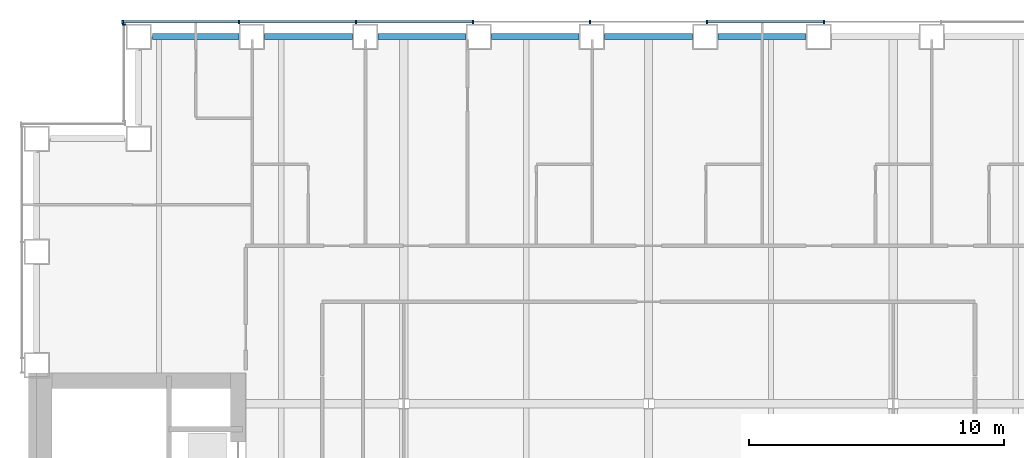
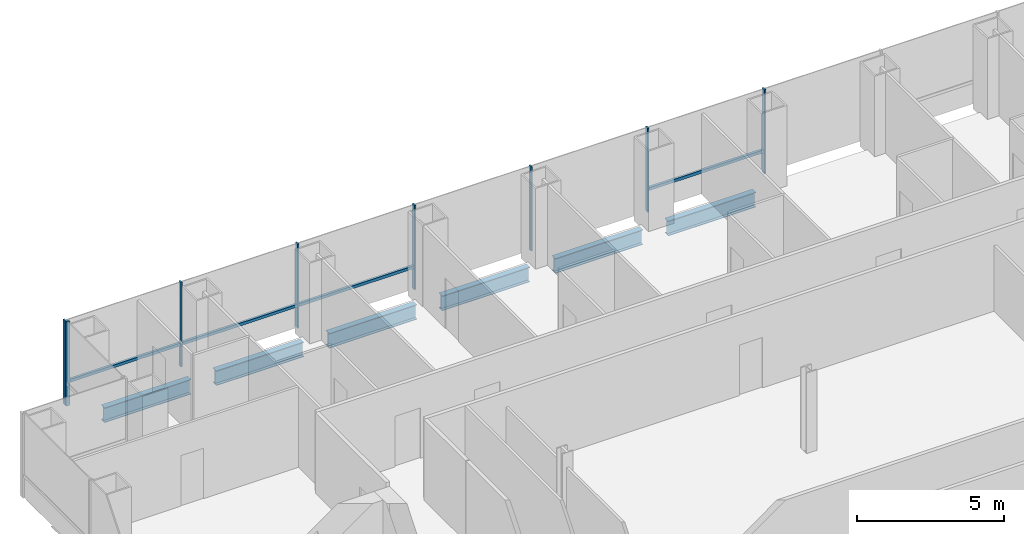
# One storey, part 9 of 21: 12 members, 6 beams, 2 elements without a shape of their own.
"""IFC4 building model written with IfcOpenShell, lengths in metres."""

from ifc_helpers import new_model, si_unit, direction, frame, origin, origin_2d, place, context, subcontext, project, spatial, rectangle, i_section, extrude, material, material_profile, profile_set, type_object, element, aggregate, save


model = new_model("IFC4")

# Units and contexts
model_context = context("Model", 3, precision=1e-05, world=origin(), true_north=direction((0.0, 1.0)))
body_context = subcontext(model_context, "Body", "Model", "MODEL_VIEW")
ifc_project = project(units=[si_unit("LENGTHUNIT", "METRE"), si_unit("AREAUNIT", "SQUARE_METRE"), si_unit("VOLUMEUNIT", "CUBIC_METRE"), si_unit("PLANEANGLEUNIT", "RADIAN"), si_unit("MASSUNIT", "GRAM", prefix="KILO")], contexts=[model_context])

# Site, building, storey
site_placement = place(None, origin())
site = spatial("IfcSite", under=ifc_project, at=site_placement, CompositionType="ELEMENT")
building_placement = place(site_placement, origin())
building = spatial("IfcBuilding", under=site, at=building_placement, Name="Cobrizo Arcos Hotel Tower", CompositionType="ELEMENT")
storey_placement = place(building_placement, frame((0.0, 0.0, 42.5)))
storey = spatial("IfcBuildingStorey", under=building, at=storey_placement, Name="L08", CompositionType="ELEMENT", Elevation=42.5)

# Curtain wall, members
ifc_material_1 = material(Name="Aluminium 6063-T6 anodised bronze", Category="aluminium")
curtain_wall_type = type_object("IfcCurtainWallType", Name="CW-A guest facade", PredefinedType="NOTDEFINED", material=ifc_material_1)
curtain_wall_1_placement = place(storey_placement, origin())
curtain_wall_1 = element("IfcCurtainWall", 1, at=curtain_wall_1_placement, inside=storey, type_object=curtain_wall_type, Name="CW-A L08 N face", PredefinedType="NOTDEFINED")
ifc_material_profile_1 = material_profile(ifc_material_1, rectangle(XDim=0.14990234375, YDim=0.06005859375, at=origin_2d()), Name="CW-A mullion 150x60")
ifc_profile_set_1 = profile_set([ifc_material_profile_1], Name="Aluminium 6063-T6 anodised bronze")
member_type_1 = type_object("IfcMemberType", Name="CW-A mullion 150x60", PredefinedType="MULLION", material=ifc_profile_set_1)
member_1_placement = place(storey_placement, frame((6.88330078125, 24.574951171875, 0.0), z_axis=(0.0, 0.0, 1.0), x_axis=(0.0, 1.0, 0.0)))
member_1 = element("IfcMember", 2, at=member_1_placement, type_object=member_type_1, Name="CW-A mullion 4", PredefinedType="MULLION", context=body_context, shape_type="SweptSolid", body=[
    extrude(rectangle(XDim=0.14990234375, YDim=0.06005859375, at=origin_2d()), origin(), (0.0, 0.0, 1.0), 3.5),
])
member_2_placement = place(storey_placement, frame((2.29443359375, 24.574951171875, 0.0), z_axis=(0.0, 0.0, 1.0), x_axis=(0.0, 1.0, 0.0)))
member_2 = element("IfcMember", 3, at=member_2_placement, type_object=member_type_1, Name="CW-A mullion 5", PredefinedType="MULLION", context=body_context, shape_type="SweptSolid", body=[
    extrude(rectangle(XDim=0.14990234375, YDim=0.06005859375, at=origin_2d()), origin(), (0.0, 0.0, 1.0), 3.5),
])
member_3_placement = place(storey_placement, frame((-2.29443359375, 24.574951171875, 0.0), z_axis=(0.0, 0.0, 1.0), x_axis=(0.0, 1.0, 0.0)))
member_3 = element("IfcMember", 4, at=member_3_placement, type_object=member_type_1, Name="CW-A mullion 6", PredefinedType="MULLION", context=body_context, shape_type="SweptSolid", body=[
    extrude(rectangle(XDim=0.14990234375, YDim=0.06005859375, at=origin_2d()), origin(), (0.0, 0.0, 1.0), 3.5),
])
member_4_placement = place(storey_placement, frame((-6.88330078125, 24.574951171875, 0.0), z_axis=(0.0, 0.0, 1.0), x_axis=(0.0, 1.0, 0.0)))
member_4 = element("IfcMember", 5, at=member_4_placement, type_object=member_type_1, Name="CW-A mullion 7", PredefinedType="MULLION", context=body_context, shape_type="SweptSolid", body=[
    extrude(rectangle(XDim=0.14990234375, YDim=0.06005859375, at=origin_2d()), origin(), (0.0, 0.0, 1.0), 3.5),
])
member_5_placement = place(storey_placement, frame((-11.47216796875, 24.574951171875, 0.0), z_axis=(0.0, 0.0, 1.0), x_axis=(0.0, 1.0, 0.0)))
member_5 = element("IfcMember", 6, at=member_5_placement, type_object=member_type_1, Name="CW-A mullion 8", PredefinedType="MULLION", context=body_context, shape_type="SweptSolid", body=[
    extrude(rectangle(XDim=0.14990234375, YDim=0.06005859375, at=origin_2d()), origin(), (0.0, 0.0, 1.0), 3.5),
])
member_6_placement = place(storey_placement, frame((-16.06103515625, 24.574951171875, 0.0), z_axis=(0.0, 0.0, 1.0), x_axis=(0.0, 1.0, 0.0)))
member_6 = element("IfcMember", 7, at=member_6_placement, type_object=member_type_1, Name="CW-A mullion 9", PredefinedType="MULLION", context=body_context, shape_type="SweptSolid", body=[
    extrude(rectangle(XDim=0.14990234375, YDim=0.06005859375, at=origin_2d()), origin(), (0.0, 0.0, 1.0), 3.5),
])
member_7_placement = place(storey_placement, frame((-20.6201171875, 24.574951171875, 0.0), z_axis=(0.0, 0.0, 1.0), x_axis=(0.0, 1.0, 0.0)))
member_7 = element("IfcMember", 8, at=member_7_placement, type_object=member_type_1, Name="CW-A mullion 10", PredefinedType="MULLION", context=body_context, shape_type="SweptSolid", body=[
    extrude(rectangle(XDim=0.14990234375, YDim=0.06005859375, at=origin_2d()), origin(), (0.0, 0.0, 1.0), 3.5),
])

# Curtain wall, member
curtain_wall_2_placement = place(storey_placement, origin())
curtain_wall_2 = element("IfcCurtainWall", 9, at=curtain_wall_2_placement, inside=storey, type_object=curtain_wall_type, Name="CW-A L08 W face", PredefinedType="NOTDEFINED")
member_8_placement = place(storey_placement, frame((-20.574951171875, 24.469970703125, 0.0), z_axis=(0.0, 0.0, 1.0), x_axis=(-1.0, 0.0, 0.0)))
member_8 = element("IfcMember", 10, at=member_8_placement, type_object=member_type_1, Name="CW-A mullion 1", PredefinedType="MULLION", context=body_context, shape_type="SweptSolid", body=[
    extrude(rectangle(XDim=0.14990234375, YDim=0.06005859375, at=origin_2d()), origin(), (0.0, 0.0, 1.0), 3.5),
])
aggregate(curtain_wall_2, [member_8])

# Member
ifc_material_profile_2 = material_profile(ifc_material_1, rectangle(XDim=0.10009765625, YDim=0.1201171875, at=origin_2d()), Name="CW-A transom 120x100")
ifc_profile_set_2 = profile_set([ifc_material_profile_2], Name="Aluminium 6063-T6 anodised bronze")
member_type_2 = type_object("IfcMemberType", Name="CW-A transom 120x100", PredefinedType="USERDEFINED", material=ifc_profile_set_2)
member_9_placement = place(storey_placement, frame((6.853271484375, 24.574951171875, 0.929931640625), z_axis=(-1.0, 0.0, 0.0), x_axis=(0.0, -1.0, 0.0)))
member_9 = element("IfcMember", 11, at=member_9_placement, type_object=member_type_2, Name="CW-A transom 421", ObjectType="TRANSOM", PredefinedType="USERDEFINED", context=body_context, shape_type="SweptSolid", body=[
    extrude(rectangle(XDim=0.10009765625, YDim=0.1201171875, at=origin_2d()), origin(), (0.0, 0.0, 1.0), 4.52880859375),
])

member_10_placement = place(storey_placement, frame((-6.913330078125, 24.574951171875, 0.929931640625), z_axis=(-1.0, 0.0, 0.0), x_axis=(0.0, -1.0, 0.0)))
member_10 = element("IfcMember", 12, at=member_10_placement, type_object=member_type_2, Name="CW-A transom 424", ObjectType="TRANSOM", PredefinedType="USERDEFINED", context=body_context, shape_type="SweptSolid", body=[
    extrude(rectangle(XDim=0.10009765625, YDim=0.1201171875, at=origin_2d()), origin(), (0.0, 0.0, 1.0), 4.52880859375),
])

member_11_placement = place(storey_placement, frame((-11.502197265625, 24.574951171875, 0.929931640625), z_axis=(-1.0, 0.0, 0.0), x_axis=(0.0, -1.0, 0.0)))
member_11 = element("IfcMember", 13, at=member_11_placement, type_object=member_type_2, Name="CW-A transom 425", ObjectType="TRANSOM", PredefinedType="USERDEFINED", context=body_context, shape_type="SweptSolid", body=[
    extrude(rectangle(XDim=0.10009765625, YDim=0.1201171875, at=origin_2d()), origin(), (0.0, 0.0, 1.0), 4.52880859375),
])

member_12_placement = place(storey_placement, frame((-16.091064453125, 24.574951171875, 0.929931640625), z_axis=(-1.0, 0.0, 0.0), x_axis=(0.0, -1.0, 0.0)))
member_12 = element("IfcMember", 14, at=member_12_placement, type_object=member_type_2, Name="CW-A transom 426", ObjectType="TRANSOM", PredefinedType="USERDEFINED", context=body_context, shape_type="SweptSolid", body=[
    extrude(rectangle(XDim=0.10009765625, YDim=0.1201171875, at=origin_2d()), origin(), (0.0, 0.0, 1.0), 4.4990234375),
])

aggregate(curtain_wall_1, [member_1, member_2, member_3, member_4, member_5, member_6, member_7, member_9, member_10, member_11, member_12])

# Beams
ifc_material_2 = material(Name="Steel ASTM A992 Grade 50", Category="steel")
ifc_material_profile_3 = material_profile(ifc_material_2, i_section(OverallWidth=0.23046875, OverallDepth=0.6171875, WebThickness=0.01318359375, FlangeThickness=0.022216796875, at=origin_2d()), Name="W24X94")
ifc_profile_set_3 = profile_set([ifc_material_profile_3], Name="Steel ASTM A992 Grade 50")
beam_type = type_object("IfcBeamType", Name="W24X94 spandrel", PredefinedType="SPANDREL", material=ifc_profile_set_3)
beam_1_placement = place(storey_placement, frame((6.1669921875, 24.0, -0.45849609375), z_axis=(-1.0, 0.0, 0.0), x_axis=(0.0, -1.0, 0.0)))
element("IfcBeam", 15, at=beam_1_placement, inside=storey, type_object=beam_type, Name="Spandrel beam W24X94, L08, no. 021", PredefinedType="SPANDREL", context=body_context, shape_type="SweptSolid", body=[
    extrude(i_section(OverallWidth=0.23046875, OverallDepth=0.6171875, WebThickness=0.01318359375, FlangeThickness=0.022216796875, at=origin_2d()), origin(), (0.0, 0.0, 1.0), 3.445068359375),
])
beam_2_placement = place(storey_placement, frame((1.721923828125, 24.0, -0.45849609375), z_axis=(-1.0, 0.0, 0.0), x_axis=(0.0, -1.0, 0.0)))
element("IfcBeam", 16, at=beam_2_placement, inside=storey, type_object=beam_type, Name="Spandrel beam W24X94, L08, no. 022", PredefinedType="SPANDREL", context=body_context, shape_type="SweptSolid", body=[
    extrude(i_section(OverallWidth=0.23046875, OverallDepth=0.6171875, WebThickness=0.01318359375, FlangeThickness=0.022216796875, at=origin_2d()), origin(), (0.0, 0.0, 1.0), 3.44384765625),
])
beam_3_placement = place(storey_placement, frame((-2.721923828125, 24.0, -0.45849609375), z_axis=(-1.0, 0.0, 0.0), x_axis=(0.0, -1.0, 0.0)))
element("IfcBeam", 17, at=beam_3_placement, inside=storey, type_object=beam_type, Name="Spandrel beam W24X94, L08, no. 023", PredefinedType="SPANDREL", context=body_context, shape_type="SweptSolid", body=[
    extrude(i_section(OverallWidth=0.23046875, OverallDepth=0.6171875, WebThickness=0.01318359375, FlangeThickness=0.022216796875, at=origin_2d()), origin(), (0.0, 0.0, 1.0), 3.445068359375),
])
beam_4_placement = place(storey_placement, frame((-7.1669921875, 24.0, -0.45849609375), z_axis=(-1.0, 0.0, 0.0), x_axis=(0.0, -1.0, 0.0)))
element("IfcBeam", 18, at=beam_4_placement, inside=storey, type_object=beam_type, Name="Spandrel beam W24X94, L08, no. 024", PredefinedType="SPANDREL", context=body_context, shape_type="SweptSolid", body=[
    extrude(i_section(OverallWidth=0.23046875, OverallDepth=0.6171875, WebThickness=0.01318359375, FlangeThickness=0.022216796875, at=origin_2d()), origin(), (0.0, 0.0, 1.0), 3.444091796875),
])
beam_5_placement = place(storey_placement, frame((-11.611083984375, 24.0, -0.45849609375), z_axis=(-1.0, 0.0, 0.0), x_axis=(0.0, -1.0, 0.0)))
element("IfcBeam", 19, at=beam_5_placement, inside=storey, type_object=beam_type, Name="Spandrel beam W24X94, L08, no. 025", PredefinedType="SPANDREL", context=body_context, shape_type="SweptSolid", body=[
    extrude(i_section(OverallWidth=0.23046875, OverallDepth=0.6171875, WebThickness=0.01318359375, FlangeThickness=0.022216796875, at=origin_2d()), origin(), (0.0, 0.0, 1.0), 3.44482421875),
])
beam_6_placement = place(storey_placement, frame((-16.055908203125, 24.0, -0.45849609375), z_axis=(-1.0, 0.0, 0.0), x_axis=(0.0, -1.0, 0.0)))
element("IfcBeam", 20, at=beam_6_placement, inside=storey, type_object=beam_type, Name="Spandrel beam W24X94, L08, no. 026", PredefinedType="SPANDREL", context=body_context, shape_type="SweptSolid", body=[
    extrude(i_section(OverallWidth=0.23046875, OverallDepth=0.6171875, WebThickness=0.01318359375, FlangeThickness=0.022216796875, at=origin_2d()), origin(), (0.0, 0.0, 1.0), 3.39404296875),
])

save(model, "model.ifc")
